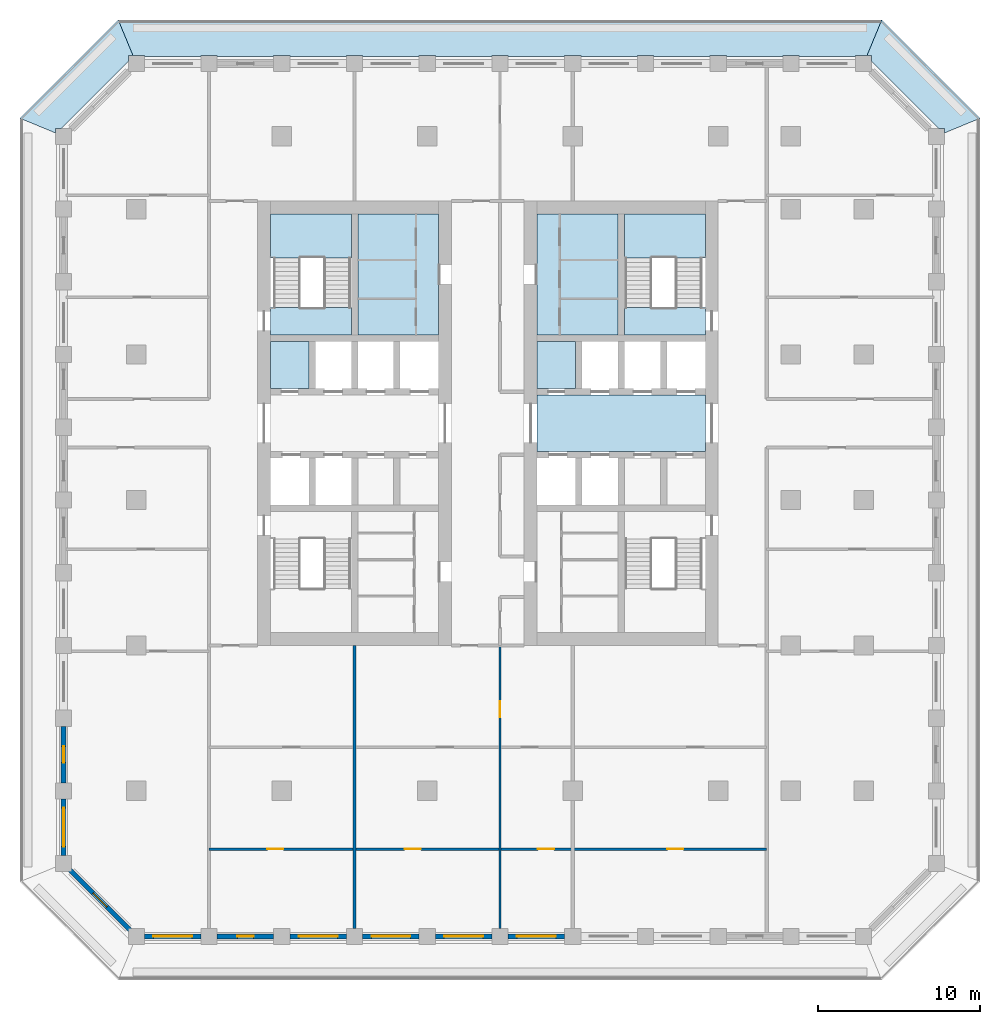
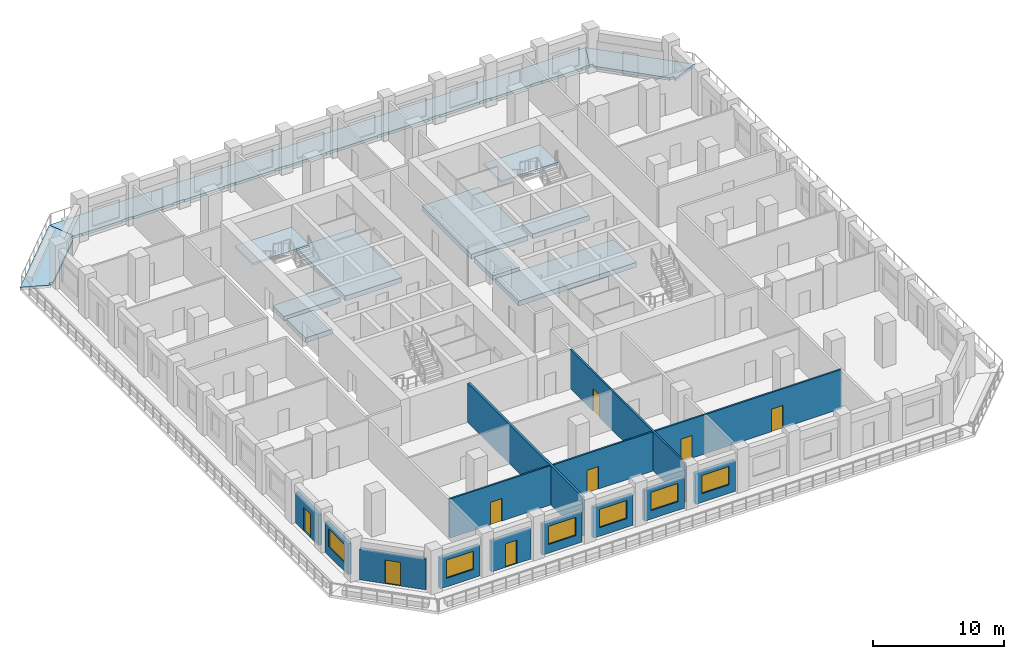
# One storey, part 2 of 16: 12 slabs, 12 walls, 8 doors, 6 windows, 14 openings, 2 elements without a shape of their own.
"""IFC4 building model written with IfcOpenShell, lengths in metres."""

import ifcopenshell
import ifcopenshell.guid

model = None  # the IFC model being written
_history = None  # IfcOwnerHistory: only IFC2X3 demands one
_inside = {}  # id of a spatial element -> (the spatial element, [elements in it])
_under = {}  # id of a project, library or spatial element -> (it, [spatial elements below it])
_declared = {}  # id of a project -> (the project, [libraries it declares])
_typed = {}  # id of a type object -> (the type object, [elements of that type])
_made_of = {}  # id of a material, layer set ... -> (it, [elements and type objects made of it])


def new_model(schema):
    """Start an empty IFC model of exactly this schema.

    Asked for "IFC4X3", IfcOpenShell would pick the latest addendum, in which some entities
    have other attributes; the version numbers below select the first issue.
    IFC2X3 requires an IfcOwnerHistory on every rooted entity: one is made here for all.
    """
    global model, _history
    if schema == "IFC4X3":
        model = ifcopenshell.file(schema_version=(4, 3, 0, 0))
    else:
        model = ifcopenshell.file(schema=schema)
    _inside.clear()
    _under.clear()
    _declared.clear()
    _typed.clear()
    _made_of.clear()
    _history = None
    if model.schema == "IFC2X3":
        org = make("IfcOrganization", Name="unknown")
        user = make(
            "IfcPersonAndOrganization",
            ThePerson=make("IfcPerson", FamilyName="unknown"),
            TheOrganization=org,
        )
        app = make(
            "IfcApplication",
            ApplicationDeveloper=org,
            Version="unknown",
            ApplicationFullName="unknown",
            ApplicationIdentifier="unknown",
        )
        _history = make(
            "IfcOwnerHistory",
            OwningUser=user,
            OwningApplication=app,
            ChangeAction="ADDED",
            CreationDate=0,
        )
    return model


def make(cls, **values):
    """One entity of the class cls with the attributes given. An attribute that is None is left unset."""
    return model.create_entity(
        cls, **{name: value for name, value in values.items() if value is not None}
    )


def rooted(cls, **values):
    """An entity with a GlobalId (a new one), such as an element, a storey or a relation."""
    return make(cls, GlobalId=ifcopenshell.guid.new(), OwnerHistory=_history, **values)


def si_unit(unit_type, name, prefix=None):
    """IfcSIUnit, for example si_unit("LENGTHUNIT", "METRE", prefix="MILLI")."""
    return make("IfcSIUnit", UnitType=unit_type, Prefix=prefix, Name=name)


def assignment(units):
    """IfcUnitAssignment: the units of a project."""
    return None if units is None else make("IfcUnitAssignment", Units=units)


def point(xyz):
    """IfcCartesianPoint."""
    return None if xyz is None else make("IfcCartesianPoint", Coordinates=xyz)


def direction(xyz):
    """IfcDirection."""
    return None if xyz is None else make("IfcDirection", DirectionRatios=xyz)


def frame(location, z_axis=None, x_axis=None):
    """IfcAxis2Placement3D, a coordinate frame: its origin and axes. An axis left out is left unset."""
    return make(
        "IfcAxis2Placement3D",
        Location=point(location),
        Axis=direction(z_axis),
        RefDirection=direction(x_axis),
    )


def frame_2d(location, x_axis=None):
    """IfcAxis2Placement2D, a coordinate frame in the plane: its origin and x axis."""
    return make(
        "IfcAxis2Placement2D", Location=point(location), RefDirection=direction(x_axis)
    )


def origin():
    """The frame at (0, 0, 0) with its axes left unset."""
    return frame((0.0, 0.0, 0.0))


def place(relative_to, where):
    """IfcLocalPlacement: puts the frame where relative to a parent placement (None: the world)."""
    return make(
        "IfcLocalPlacement", PlacementRelTo=relative_to, RelativePlacement=where
    )


def context(
    kind, dimensions, precision=None, world=None, true_north=None, identifier=None
):
    """IfcGeometricRepresentationContext, for example the 3D "Model" context."""
    return make(
        "IfcGeometricRepresentationContext",
        ContextIdentifier=identifier,
        ContextType=kind,
        CoordinateSpaceDimension=dimensions,
        Precision=precision,
        WorldCoordinateSystem=world,
        TrueNorth=true_north,
    )


def subcontext(parent, identifier, kind, view, scale=None):
    """IfcGeometricRepresentationSubContext, for example "Body" below "Model"."""
    return make(
        "IfcGeometricRepresentationSubContext",
        ContextIdentifier=identifier,
        ContextType=kind,
        ParentContext=parent,
        TargetScale=scale,
        TargetView=view,
    )


def project(units=None, contexts=None):
    """IfcProject with its units and contexts."""
    return rooted(
        "IfcProject",
        Name="project",
        RepresentationContexts=contexts,
        UnitsInContext=assignment(units),
    )


def spatial(cls, under=None, at=None, **own):
    """A site, building, storey or space (cls), placed at a placement, below another one or the project."""
    s = rooted(cls, ObjectPlacement=at, **own)
    if under is not None:
        _under.setdefault(under.id(), (under, []))[1].append(s)
    return s


def polyline(points):
    """IfcPolyline through the points."""
    return make("IfcPolyline", Points=[point(p) for p in points])


def profile(cls, at=None, kind="AREA", **sizes):
    """A parametric profile (cls). Its sizes go by their IFC names, for example OverallWidth=200.0."""
    return make(cls, ProfileType=kind, Position=at, **sizes)


def rectangle(**sizes):
    """IfcRectangleProfileDef."""
    return profile("IfcRectangleProfileDef", **sizes)


def outline(outer, holes=None, kind="AREA"):
    """IfcArbitraryClosedProfileDef: a profile drawn as a closed curve; with holes, ...WithVoids."""
    if holes is None:
        return make("IfcArbitraryClosedProfileDef", ProfileType=kind, OuterCurve=outer)
    return make(
        "IfcArbitraryProfileDefWithVoids",
        ProfileType=kind,
        OuterCurve=outer,
        InnerCurves=holes,
    )


def extrude(swept, where, along, depth):
    """IfcExtrudedAreaSolid: the profile swept, set in the frame where, extruded along a direction by depth."""
    return make(
        "IfcExtrudedAreaSolid",
        SweptArea=swept,
        Position=where,
        ExtrudedDirection=direction(along),
        Depth=depth,
    )


def shape(context_of_items, identifier, shape_type, items):
    """IfcShapeRepresentation: the items that make up one representation, for example the "Body"."""
    return make(
        "IfcShapeRepresentation",
        ContextOfItems=context_of_items,
        RepresentationIdentifier=identifier,
        RepresentationType=shape_type,
        Items=items,
    )


def material(Name=None, Category=None):
    """IfcMaterial."""
    return make("IfcMaterial", Name=Name, Category=Category)


def layer(
    of_material, thickness, ventilated=None, Name=None, Category=None, Priority=None
):
    """IfcMaterialLayer: one layer of a wall or slab, of a material (None: an air gap)."""
    return make(
        "IfcMaterialLayer",
        Material=of_material,
        LayerThickness=thickness,
        IsVentilated=ventilated,
        Name=Name,
        Category=Category,
        Priority=Priority,
    )


def layer_set(layers, Name=None):
    """IfcMaterialLayerSet."""
    return make("IfcMaterialLayerSet", MaterialLayers=layers, LayerSetName=Name)


def made_of(thing, what):
    """Note that an element or type object is made of a material, layer set ...; save() writes the relation."""
    if what is not None:
        _made_of.setdefault(what.id(), (what, []))[1].append(thing)
    return thing


def type_object(cls, material=None, **own):
    """A type object (cls), such as IfcWallType, which elements share."""
    return made_of(rooted(cls, **own), material)


def element(
    cls,
    number,
    at=None,
    inside=None,
    cuts=None,
    type_object=None,
    material=None,
    context=None,
    identifier="Body",
    shape_type=None,
    held_by="IfcProductDefinitionShape",
    body=None,
    shapes=None,
    **own,
):
    """One element of the class cls, such as IfcWall. Its Tag is "e" and its number.

    at: its placement. inside: the storey or other place that contains it. cuts: it is an
    opening in that element (IfcRelVoidsElement). A single representation is given by context,
    identifier, shape_type and body (its items); several are given by shapes. held_by: the class
    of the entity that holds the representations. save() writes the other relations.
    """
    e = rooted(cls, Tag="e%d" % number, ObjectPlacement=at, **own)
    if body is not None:
        shapes = [shape(context, identifier, shape_type, body)]
    if shapes is not None:
        e.Representation = make(held_by, Representations=shapes)
    if inside is not None:
        _inside.setdefault(inside.id(), (inside, []))[1].append(e)
    if cuts is not None:
        rooted(
            "IfcRelVoidsElement", RelatingBuildingElement=cuts, RelatedOpeningElement=e
        )
    if type_object is not None:
        _typed.setdefault(type_object.id(), (type_object, []))[1].append(e)
    return made_of(e, material)


def fill(opening, filler):
    """IfcRelFillsElement: the door or window that sits in an opening."""
    return rooted(
        "IfcRelFillsElement",
        RelatingOpeningElement=opening,
        RelatedBuildingElement=filler,
    )


def aggregate(whole, parts):
    """IfcRelAggregates: a whole, such as a stair, and the parts it consists of."""
    return rooted("IfcRelAggregates", RelatingObject=whole, RelatedObjects=parts)


def save(model, path):
    """Write the relations noted so far, then the file.

    IfcRelAggregates (storeys below a building ...), IfcRelContainedInSpatialStructure (elements
    in a storey), IfcRelDefinesByType, IfcRelAssociatesMaterial and IfcRelDeclares: one each for
    every whole, place, type object, material and project.
    """
    for whole, parts in _under.values():
        aggregate(whole, parts)
    for where, things in _inside.values():
        rooted(
            "IfcRelContainedInSpatialStructure",
            RelatedElements=things,
            RelatingStructure=where,
        )
    for kind, things in _typed.values():
        rooted("IfcRelDefinesByType", RelatedObjects=things, RelatingType=kind)
    for what, things in _made_of.values():
        rooted("IfcRelAssociatesMaterial", RelatedObjects=things, RelatingMaterial=what)
    for by, libraries in _declared.values():
        rooted("IfcRelDeclares", RelatingContext=by, RelatedDefinitions=libraries)
    model.write(path)


model = new_model("IFC4")

# Units and contexts
model_context = context("Model", 3, precision=1e-05, world=origin(), true_north=direction((0.0, 1.0)))
body_context = subcontext(model_context, "Body", "Model", "MODEL_VIEW")
ifc_project = project(units=[si_unit("LENGTHUNIT", "METRE"), si_unit("AREAUNIT", "SQUARE_METRE"), si_unit("VOLUMEUNIT", "CUBIC_METRE"), si_unit("PLANEANGLEUNIT", "RADIAN"), si_unit("MASSUNIT", "GRAM", prefix="KILO")], contexts=[model_context])

# Site, building, storey
site_placement = place(None, origin())
site = spatial("IfcSite", under=ifc_project, at=site_placement, CompositionType="ELEMENT")
building_placement = place(site_placement, origin())
building = spatial("IfcBuilding", under=site, at=building_placement, Name="Corbel Stack Research Tower", CompositionType="ELEMENT")
storey_placement = place(building_placement, frame((0.0, 0.0, 203.800048828125)))
storey = spatial("IfcBuildingStorey", under=building, at=storey_placement, Name="L46", CompositionType="ELEMENT", Elevation=203.800048828125)

# Slabs
ifc_material_1 = material(Name="Concrete C45/55", Category="concrete")
ifc_layer_1 = layer(ifc_material_1, 0.25)
ifc_layer_set_1 = layer_set([ifc_layer_1], Name="Concrete C45/55")
slab_type_1 = type_object("IfcSlabType", Name="PT balcony slab 250 C45/55", PredefinedType="FLOOR", material=ifc_layer_set_1)
slab_1_placement = place(storey_placement, frame((0.0, 0.0, -0.25)))
element("IfcSlab", 1, at=slab_1_placement, inside=storey, type_object=slab_type_1, Name="Loggia slab L46 NE", PredefinedType="FLOOR", context=body_context, shape_type="SweptSolid", body=[
    extrude(outline(polyline([(27.20703125, 27.5), (27.5, 27.5), (27.5, 27.136474609375), (31.636474609375, 23.0), (32.0, 23.0), (32.0, 22.70703125), (34.199951171875, 23.618408203125), (28.118408203125, 29.699951171875), (27.20703125, 27.5)])), origin(), (0.0, 0.0, 1.0), 0.25),
])
slab_2_placement = place(storey_placement, frame((0.0, 0.0, -0.25)))
element("IfcSlab", 2, at=slab_2_placement, inside=storey, type_object=slab_type_1, Name="Loggia slab L46 N", PredefinedType="FLOOR", context=body_context, shape_type="SweptSolid", body=[
    extrude(outline(polyline([(-18.20703125, 27.5), (-17.5, 27.5), (-17.5, 27.449951171875), (-14.0, 27.449951171875), (-14.0, 27.5), (-13.0, 27.5), (-13.0, 27.449951171875), (-9.5, 27.449951171875), (-9.5, 27.5), (-8.5, 27.5), (-8.5, 27.449951171875), (-5.0, 27.449951171875), (-5.0, 27.5), (-4.0, 27.5), (-4.0, 27.449951171875), (-0.5, 27.449951171875), (-0.5, 27.5), (0.5, 27.5), (0.5, 27.449951171875), (4.0, 27.449951171875), (4.0, 27.5), (5.0, 27.5), (5.0, 27.449951171875), (8.5, 27.449951171875), (8.5, 27.5), (9.5, 27.5), (9.5, 27.449951171875), (13.0, 27.449951171875), (13.0, 27.5), (14.0, 27.5), (14.0, 27.449951171875), (17.5, 27.449951171875), (17.5, 27.5), (18.5, 27.5), (18.5, 27.449951171875), (22.0, 27.449951171875), (22.0, 27.5), (23.0, 27.5), (23.0, 27.449951171875), (26.5, 27.449951171875), (26.5, 27.5), (27.20703125, 27.5), (28.118408203125, 29.699951171875), (-19.118408203125, 29.699951171875), (-18.20703125, 27.5)])), origin(), (0.0, 0.0, 1.0), 0.25),
])
slab_3_placement = place(storey_placement, frame((0.0, 0.0, -0.25)))
element("IfcSlab", 3, at=slab_3_placement, inside=storey, type_object=slab_type_1, Name="Loggia slab L46 NW", PredefinedType="FLOOR", context=body_context, shape_type="SweptSolid", body=[
    extrude(outline(polyline([(-23.0, 22.70703125), (-23.0, 23.0), (-22.636474609375, 23.0), (-18.5, 27.136474609375), (-18.5, 27.5), (-18.20703125, 27.5), (-19.118408203125, 29.699951171875), (-25.199951171875, 23.618408203125), (-23.0, 22.70703125)])), origin(), (0.0, 0.0, 1.0), 0.25),
])
ifc_material_2 = material(Name="Concrete C45/55", Category="concrete")
ifc_layer_2 = layer(ifc_material_2, 0.449951171875)
ifc_layer_set_2 = layer_set([ifc_layer_2], Name="Concrete C45/55")
slab_type_2 = type_object("IfcSlabType", Name="PT-450", PredefinedType="FLOOR", material=ifc_layer_set_2)
slab_4_placement = place(storey_placement, frame((0.0, 0.0, -0.449951171875)))
element("IfcSlab", 4, at=slab_4_placement, inside=storey, type_object=slab_type_2, Name="West core floor L46", PredefinedType="FLOOR", context=body_context, shape_type="SweptSolid", body=[
    extrude(outline(polyline([(-9.699951171875, 6.89990234375), (-7.324951171875, 6.89990234375), (-7.324951171875, 9.800048828125), (-9.699951171875, 9.800048828125), (-9.699951171875, 6.89990234375)])), origin(), (0.0, 0.0, 1.0), 0.449951171875),
])
slab_5_placement = place(storey_placement, frame((0.0, 0.0, -0.449951171875)))
element("IfcSlab", 5, at=slab_5_placement, inside=storey, type_object=slab_type_2, Name="West core floor L46", PredefinedType="FLOOR", context=body_context, shape_type="SweptSolid", body=[
    extrude(outline(polyline([(0.699951171875, 17.699951171875), (-4.300048828125, 17.699951171875), (-4.300048828125, 10.199951171875), (0.699951171875, 10.199951171875), (0.699951171875, 17.699951171875)])), origin(), (0.0, 0.0, 1.0), 0.449951171875),
])
slab_6_placement = place(storey_placement, frame((0.0, 0.0, -0.449951171875)))
element("IfcSlab", 6, at=slab_6_placement, inside=storey, type_object=slab_type_2, Name="East core floor L46", PredefinedType="FLOOR", context=body_context, shape_type="SweptSolid", body=[
    extrude(outline(polyline([(17.199951171875, 6.5), (6.800048828125, 6.5), (6.800048828125, 3.0), (17.199951171875, 3.0), (17.199951171875, 6.5)])), origin(), (0.0, 0.0, 1.0), 0.449951171875),
])
slab_7_placement = place(storey_placement, frame((0.0, 0.0, -0.449951171875)))
element("IfcSlab", 7, at=slab_7_placement, inside=storey, type_object=slab_type_2, Name="East core floor L46", PredefinedType="FLOOR", context=body_context, shape_type="SweptSolid", body=[
    extrude(outline(polyline([(6.800048828125, 6.89990234375), (9.175048828125, 6.89990234375), (9.175048828125, 9.800048828125), (6.800048828125, 9.800048828125), (6.800048828125, 6.89990234375)])), origin(), (0.0, 0.0, 1.0), 0.449951171875),
])
slab_8_placement = place(storey_placement, frame((0.0, 0.0, -0.449951171875)))
element("IfcSlab", 8, at=slab_8_placement, inside=storey, type_object=slab_type_2, Name="East core floor L46", PredefinedType="FLOOR", context=body_context, shape_type="SweptSolid", body=[
    extrude(outline(polyline([(6.800048828125, 17.699951171875), (6.800048828125, 10.199951171875), (11.800048828125, 10.199951171875), (11.800048828125, 17.699951171875), (6.800048828125, 17.699951171875)])), origin(), (0.0, 0.0, 1.0), 0.449951171875),
])
slab_9_placement = place(storey_placement, frame((0.0, 0.0, -0.449951171875)))
element("IfcSlab", 9, at=slab_9_placement, inside=storey, type_object=slab_type_2, Name="Stair floor landing ST-W2", PredefinedType="FLOOR", context=body_context, shape_type="SweptSolid", body=[
    extrude(outline(polyline([(-9.699951171875, 10.199951171875), (-4.699951171875, 10.199951171875), (-4.699951171875, 11.89990234375), (-9.699951171875, 11.89990234375), (-9.699951171875, 10.199951171875)])), origin(), (0.0, 0.0, 1.0), 0.449951171875),
])
slab_10_placement = place(storey_placement, frame((0.0, 0.0, -0.449951171875)))
element("IfcSlab", 10, at=slab_10_placement, inside=storey, type_object=slab_type_2, Name="Stair floor landing ST-E2", PredefinedType="FLOOR", context=body_context, shape_type="SweptSolid", body=[
    extrude(outline(polyline([(12.199951171875, 10.199951171875), (17.199951171875, 10.199951171875), (17.199951171875, 11.89990234375), (12.199951171875, 11.89990234375), (12.199951171875, 10.199951171875)])), origin(), (0.0, 0.0, 1.0), 0.449951171875),
])

# Stair, slab
ifc_material_3 = material(Name="Concrete C40/50", Category="concrete")
stair_type = type_object("IfcStairType", Name="Exit stair 24 risers", PredefinedType="HALF_TURN_STAIR", material=ifc_material_3)
stair_1_placement = place(storey_placement, origin())
stair_1 = element("IfcStair", 11, at=stair_1_placement, inside=storey, type_object=stair_type, Name="L46 Exit stair ST-W2", PredefinedType="HALF_TURN_STAIR")
ifc_material_4 = material(Name="Concrete C40/50", Category="concrete")
ifc_layer_3 = layer(ifc_material_4, 0.199951171875)
ifc_layer_set_3 = layer_set([ifc_layer_3], Name="Concrete C40/50")
slab_type_3 = type_object("IfcSlabType", Name="Stair landing 200 C40/50", PredefinedType="LANDING", material=ifc_layer_set_3)
slab_11_placement = place(storey_placement, frame((0.0, 0.0, 1.849853515625)))
slab_11 = element("IfcSlab", 12, at=slab_11_placement, type_object=slab_type_3, Name="ST-W2 landing 1", PredefinedType="LANDING", context=body_context, shape_type="SweptSolid", body=[
    extrude(outline(polyline([(-9.699951171875, 14.97998046875), (-9.699951171875, 17.699951171875), (-4.699951171875, 17.699951171875), (-4.699951171875, 14.97998046875), (-9.699951171875, 14.97998046875)])), origin(), (0.0, 0.0, 1.0), 0.2001953125),
])
aggregate(stair_1, [slab_11])

stair_2_placement = place(storey_placement, origin())
stair_2 = element("IfcStair", 13, at=stair_2_placement, inside=storey, type_object=stair_type, Name="L46 Exit stair ST-E2", PredefinedType="HALF_TURN_STAIR")
slab_12_placement = place(storey_placement, frame((0.0, 0.0, 1.849853515625)))
slab_12 = element("IfcSlab", 14, at=slab_12_placement, type_object=slab_type_3, Name="ST-E2 landing 1", PredefinedType="LANDING", context=body_context, shape_type="SweptSolid", body=[
    extrude(outline(polyline([(12.199951171875, 14.97998046875), (12.199951171875, 17.699951171875), (17.199951171875, 17.699951171875), (17.199951171875, 14.97998046875), (12.199951171875, 14.97998046875)])), origin(), (0.0, 0.0, 1.0), 0.2001953125),
])
aggregate(stair_2, [slab_12])

# Wall, opening, door
ifc_material_5 = material(Name="Fire-rated gypsum board partition on steel studs", Category="steel")
ifc_layer_4 = layer(ifc_material_5, 0.14990234375)
ifc_layer_set_4 = layer_set([ifc_layer_4], Name="Fire-rated gypsum board partition on steel studs")
wall_type_1 = type_object("IfcWallType", Name="Fire-rated partition 150 EI 60", PredefinedType="PARTITIONING", material=ifc_layer_set_4)
wall_1_placement = place(storey_placement, frame((4.5, -9.0, 0.0), z_axis=(0.0, 0.0, 1.0), x_axis=(0.0, -1.0, 0.0)))
wall_1 = element("IfcWall", 15, at=wall_1_placement, inside=storey, type_object=wall_type_1, Name="Partition L46-005", PredefinedType="PARTITIONING", context=body_context, shape_type="SweptSolid", body=[
    extrude(rectangle(XDim=17.5, YDim=0.14990234375, at=frame_2d((8.75, 0.0))), origin(), (0.0, 0.0, 1.0), 3.64990234375),
])
opening_1_placement = place(wall_1_placement, frame((3.449951171875, 0.0, 0.0)))
opening_1 = element("IfcOpeningElement", 16, at=opening_1_placement, cuts=wall_1, Name="Opening B6V1-018", PredefinedType="OPENING", context=body_context, shape_type="SweptSolid", body=[
    extrude(rectangle(XDim=1.0, YDim=2.10009765625, at=frame_2d((0.5, 1.050048828125))), frame((0.0, 0.0849609375, 0.0), z_axis=(0.0, -1.0, 0.0), x_axis=(1.0, 0.0, 0.0)), (0.0, 0.0, 1.0), 0.169921875),
])
ifc_material_6 = material(Name="Painted steel fire door", Category="steel")
door_type_1 = type_object("IfcDoorType", Name="Fire door FD30S 1000 x 2100", OperationType="NOTDEFINED", PredefinedType="DOOR", material=ifc_material_6)
door_1_placement = place(opening_1_placement, origin())
door_1 = element("IfcDoor", 17, at=door_1_placement, inside=storey, type_object=door_type_1, Name="Door B6V1-018", OperationType="SINGLE_SWING_LEFT", OverallHeight=2.10009765625, OverallWidth=1.0, PredefinedType="DOOR", context=body_context, shape_type="SweptSolid", body=[
    extrude(rectangle(XDim=1.0, YDim=2.10009765625, at=frame_2d((0.5, 1.050048828125))), frame((0.0, 0.02490234375, 0.0), z_axis=(0.0, -1.0, 0.0), x_axis=(1.0, 0.0, 0.0)), (0.0, 0.0, 1.0), 0.050048828125),
])
fill(opening_1, door_1)

# Wall
ifc_material_7 = material(Name="Fire-rated gypsum board partition on steel studs", Category="steel")
ifc_layer_5 = layer(ifc_material_7, 0.199951171875)
ifc_layer_set_5 = layer_set([ifc_layer_5], Name="Fire-rated gypsum board partition on steel studs")
wall_type_2 = type_object("IfcWallType", Name="Fire-rated partition 200 EI 60", PredefinedType="PARTITIONING", material=ifc_layer_set_5)
wall_2_placement = place(storey_placement, frame((-4.5, -26.5, 0.0), z_axis=(0.0, 0.0, 1.0), x_axis=(0.0, 1.0, 0.0)))
element("IfcWall", 18, at=wall_2_placement, inside=storey, type_object=wall_type_2, Name="Partition L46-003", PredefinedType="PARTITIONING", context=body_context, shape_type="SweptSolid", body=[
    extrude(rectangle(XDim=17.5, YDim=0.199951171875, at=frame_2d((8.75, 0.0))), origin(), (0.0, 0.0, 1.0), 3.64990234375),
])

# Wall, openings, doors
ifc_material_8 = material(Name="Gypsum board partition on steel studs", Category="steel")
ifc_layer_6 = layer(ifc_material_8, 0.14990234375)
ifc_layer_set_6 = layer_set([ifc_layer_6], Name="Gypsum board partition on steel studs")
wall_type_3 = type_object("IfcWallType", Name="Partition 150", PredefinedType="PARTITIONING", material=ifc_layer_set_6)
wall_3_placement = place(storey_placement, frame((21.0, -21.60009765625, 0.0), z_axis=(0.0, 0.0, 1.0), x_axis=(-1.0, 0.0, 0.0)))
wall_3 = element("IfcWall", 19, at=wall_3_placement, inside=storey, type_object=wall_type_3, Name="Partition L46-016", PredefinedType="PARTITIONING", context=body_context, shape_type="SweptSolid", body=[
    extrude(rectangle(XDim=34.5, YDim=0.14990234375, at=frame_2d((17.25, 0.0))), origin(), (0.0, 0.0, 1.0), 3.64990234375),
])
opening_2_placement = place(wall_3_placement, frame((29.89990234375, 0.0, 0.0)))
opening_2 = element("IfcOpeningElement", 20, at=opening_2_placement, cuts=wall_3, Name="Opening B6V1-001", PredefinedType="OPENING", context=body_context, shape_type="SweptSolid", body=[
    extrude(rectangle(XDim=1.0, YDim=2.10009765625, at=frame_2d((0.5, 1.050048828125))), frame((0.0, 0.0849609375, 0.0), z_axis=(0.0, -1.0, 0.0), x_axis=(1.0, 0.0, 0.0)), (0.0, 0.0, 1.0), 0.169921875),
])
opening_3_placement = place(wall_3_placement, frame((21.39990234375, 0.0, 0.0)))
opening_3 = element("IfcOpeningElement", 21, at=opening_3_placement, cuts=wall_3, Name="Opening B6V1-002", PredefinedType="OPENING", context=body_context, shape_type="SweptSolid", body=[
    extrude(rectangle(XDim=1.0, YDim=2.10009765625, at=frame_2d((0.5, 1.050048828125))), frame((0.0, 0.0849609375, 0.0), z_axis=(0.0, -1.0, 0.0), x_axis=(1.0, 0.0, 0.0)), (0.0, 0.0, 1.0), 0.169921875),
])
opening_4_placement = place(wall_3_placement, frame((13.14990234375, 0.0, 0.0)))
opening_4 = element("IfcOpeningElement", 22, at=opening_4_placement, cuts=wall_3, Name="Opening B6V1-003", PredefinedType="OPENING", context=body_context, shape_type="SweptSolid", body=[
    extrude(rectangle(XDim=1.0, YDim=2.10009765625, at=frame_2d((0.5, 1.050048828125))), frame((0.0, 0.0849609375, 0.0), z_axis=(0.0, -1.0, 0.0), x_axis=(1.0, 0.0, 0.0)), (0.0, 0.0, 1.0), 0.169921875),
])
opening_5_placement = place(wall_3_placement, frame((5.14990234375, 0.0, 0.0)))
opening_5 = element("IfcOpeningElement", 23, at=opening_5_placement, cuts=wall_3, Name="Opening B6V1-004", PredefinedType="OPENING", context=body_context, shape_type="SweptSolid", body=[
    extrude(rectangle(XDim=1.0, YDim=2.10009765625, at=frame_2d((0.5, 1.050048828125))), frame((0.0, 0.0849609375, 0.0), z_axis=(0.0, -1.0, 0.0), x_axis=(1.0, 0.0, 0.0)), (0.0, 0.0, 1.0), 0.169921875),
])
ifc_material_9 = material(Name="Painted timber door", Category="wood")
door_type_2 = type_object("IfcDoorType", Name="Single door 1000 x 2100", OperationType="NOTDEFINED", PredefinedType="DOOR", material=ifc_material_9)
door_2_placement = place(opening_2_placement, origin())
door_2 = element("IfcDoor", 24, at=door_2_placement, inside=storey, type_object=door_type_2, Name="Door B6V1-001", OperationType="SINGLE_SWING_RIGHT", OverallHeight=2.10009765625, OverallWidth=1.0, PredefinedType="DOOR", context=body_context, shape_type="SweptSolid", body=[
    extrude(rectangle(XDim=1.0, YDim=2.10009765625, at=frame_2d((0.5, 1.050048828125))), frame((0.0, 0.02490234375, 0.0), z_axis=(0.0, -1.0, 0.0), x_axis=(1.0, 0.0, 0.0)), (0.0, 0.0, 1.0), 0.050048828125),
])
fill(opening_2, door_2)
door_3_placement = place(opening_3_placement, origin())
door_3 = element("IfcDoor", 25, at=door_3_placement, inside=storey, type_object=door_type_2, Name="Door B6V1-002", OperationType="SINGLE_SWING_RIGHT", OverallHeight=2.10009765625, OverallWidth=1.0, PredefinedType="DOOR", context=body_context, shape_type="SweptSolid", body=[
    extrude(rectangle(XDim=1.0, YDim=2.10009765625, at=frame_2d((0.5, 1.050048828125))), frame((0.0, 0.02490234375, 0.0), z_axis=(0.0, -1.0, 0.0), x_axis=(1.0, 0.0, 0.0)), (0.0, 0.0, 1.0), 0.050048828125),
])
fill(opening_3, door_3)
door_4_placement = place(opening_4_placement, origin())
door_4 = element("IfcDoor", 26, at=door_4_placement, inside=storey, type_object=door_type_2, Name="Door B6V1-003", OperationType="SINGLE_SWING_LEFT", OverallHeight=2.10009765625, OverallWidth=1.0, PredefinedType="DOOR", context=body_context, shape_type="SweptSolid", body=[
    extrude(rectangle(XDim=1.0, YDim=2.10009765625, at=frame_2d((0.5, 1.050048828125))), frame((0.0, 0.02490234375, 0.0), z_axis=(0.0, -1.0, 0.0), x_axis=(1.0, 0.0, 0.0)), (0.0, 0.0, 1.0), 0.050048828125),
])
fill(opening_4, door_4)
door_5_placement = place(opening_5_placement, origin())
door_5 = element("IfcDoor", 27, at=door_5_placement, inside=storey, type_object=door_type_2, Name="Door B6V1-004", OperationType="SINGLE_SWING_LEFT", OverallHeight=2.10009765625, OverallWidth=1.0, PredefinedType="DOOR", context=body_context, shape_type="SweptSolid", body=[
    extrude(rectangle(XDim=1.0, YDim=2.10009765625, at=frame_2d((0.5, 1.050048828125))), frame((0.0, 0.02490234375, 0.0), z_axis=(0.0, -1.0, 0.0), x_axis=(1.0, 0.0, 0.0)), (0.0, 0.0, 1.0), 0.050048828125),
])
fill(opening_5, door_5)

# Wall, opening, window
ifc_material_10 = material(Name="Concrete C45/55", Category="concrete")
ifc_layer_7 = layer(ifc_material_10, 0.300048828125)
ifc_layer_set_7 = layer_set([ifc_layer_7], Name="Concrete C45/55")
wall_type_4 = type_object("IfcWallType", Name="Terracotta-faced concrete wall 300", PredefinedType="SOLIDWALL", material=ifc_layer_set_7)
wall_4_placement = place(storey_placement, frame((-14.0, -27.0, 0.0), z_axis=(0.0, 0.0, 1.0), x_axis=(-1.0, 0.0, 0.0)))
wall_4 = element("IfcWall", 28, at=wall_4_placement, inside=storey, type_object=wall_type_4, Name="Facade wall L46 S01", PredefinedType="SOLIDWALL", context=body_context, shape_type="SweptSolid", body=[
    extrude(rectangle(XDim=3.5, YDim=0.300048828125, at=frame_2d((1.75, 0.0))), origin(), (0.0, 0.0, 1.0), 2.849853515625),
])
opening_6_placement = place(wall_4_placement, frame((0.550048828125, 0.0, 0.800048828125)))
opening_6 = element("IfcOpeningElement", 29, at=opening_6_placement, cuts=wall_4, Name="Opening W1", PredefinedType="OPENING", context=body_context, shape_type="SweptSolid", body=[
    extrude(rectangle(XDim=2.39990234375, YDim=1.699951171875, at=frame_2d((1.199951171875, 0.85009765625))), frame((0.0, 0.159912109375, 0.0), z_axis=(0.0, -1.0, 0.0), x_axis=(1.0, 0.0, 0.0)), (0.0, 0.0, 1.0), 0.320068359375),
])
ifc_material_11 = material(Name="Aluminium frame, clear double glazing", Category="aluminium")
window_type = type_object("IfcWindowType", Name="Window W1 2400 x 1700", PartitioningType="SINGLE_PANEL", PredefinedType="WINDOW", material=ifc_material_11)
window_1_placement = place(opening_6_placement, origin())
window_1 = element("IfcWindow", 30, at=window_1_placement, inside=storey, type_object=window_type, Name="Window W1 L46 S01", OverallHeight=1.699951171875, OverallWidth=2.39990234375, PartitioningType="SINGLE_PANEL", PredefinedType="WINDOW", context=body_context, shape_type="SweptSolid", body=[
    extrude(rectangle(XDim=2.39990234375, YDim=1.699951171875, at=frame_2d((1.199951171875, 0.85009765625))), frame((0.0, 0.030029296875, 0.0), z_axis=(0.0, -1.0, 0.0), x_axis=(1.0, 0.0, 0.0)), (0.0, 0.0, 1.0), 0.06005859375),
])
fill(opening_6, window_1)

# Wall, opening, door
wall_5_placement = place(storey_placement, frame((-9.5, -27.0, 0.0), z_axis=(0.0, 0.0, 1.0), x_axis=(-1.0, 0.0, 0.0)))
wall_5 = element("IfcWall", 31, at=wall_5_placement, inside=storey, type_object=wall_type_4, Name="Facade wall L46 S02", PredefinedType="SOLIDWALL", context=body_context, shape_type="SweptSolid", body=[
    extrude(rectangle(XDim=3.5, YDim=0.300048828125, at=frame_2d((1.75, 0.0))), origin(), (0.0, 0.0, 1.0), 2.849853515625),
])
opening_7_placement = place(wall_5_placement, frame((1.25, 0.0, 0.0)))
opening_7 = element("IfcOpeningElement", 32, at=opening_7_placement, cuts=wall_5, Name="Opening L46-B01", PredefinedType="OPENING", context=body_context, shape_type="SweptSolid", body=[
    extrude(rectangle(XDim=1.0, YDim=2.199951171875, at=frame_2d((0.5, 1.10009765625))), frame((0.0, 0.159912109375, 0.0), z_axis=(0.0, -1.0, 0.0), x_axis=(1.0, 0.0, 0.0)), (0.0, 0.0, 1.0), 0.320068359375),
])
ifc_material_12 = material(Name="Aluminium frame, clear double glazing", Category="aluminium")
door_type_3 = type_object("IfcDoorType", Name="Balcony door BD1 1000 x 2200", OperationType="NOTDEFINED", PredefinedType="DOOR", material=ifc_material_12)
door_6_placement = place(opening_7_placement, origin())
door_6 = element("IfcDoor", 33, at=door_6_placement, inside=storey, type_object=door_type_3, Name="Balcony door L46-B01", OperationType="SINGLE_SWING_RIGHT", OverallHeight=2.199951171875, OverallWidth=1.0, PredefinedType="DOOR", context=body_context, shape_type="SweptSolid", body=[
    extrude(rectangle(XDim=1.0, YDim=2.199951171875, at=frame_2d((0.5, 1.10009765625))), frame((0.0, 0.02490234375, 0.0), z_axis=(0.0, -1.0, 0.0), x_axis=(1.0, 0.0, 0.0)), (0.0, 0.0, 1.0), 0.050048828125),
])
fill(opening_7, door_6)

# Wall, opening, window
wall_6_placement = place(storey_placement, frame((-5.0, -27.0, 0.0), z_axis=(0.0, 0.0, 1.0), x_axis=(-1.0, 0.0, 0.0)))
wall_6 = element("IfcWall", 34, at=wall_6_placement, inside=storey, type_object=wall_type_4, Name="Facade wall L46 S03", PredefinedType="SOLIDWALL", context=body_context, shape_type="SweptSolid", body=[
    extrude(rectangle(XDim=3.5, YDim=0.300048828125, at=frame_2d((1.75, 0.0))), origin(), (0.0, 0.0, 1.0), 2.849853515625),
])
opening_8_placement = place(wall_6_placement, frame((0.550048828125, 0.0, 0.800048828125)))
opening_8 = element("IfcOpeningElement", 35, at=opening_8_placement, cuts=wall_6, Name="Opening W1", PredefinedType="OPENING", context=body_context, shape_type="SweptSolid", body=[
    extrude(rectangle(XDim=2.39990234375, YDim=1.699951171875, at=frame_2d((1.199951171875, 0.85009765625))), frame((0.0, 0.159912109375, 0.0), z_axis=(0.0, -1.0, 0.0), x_axis=(1.0, 0.0, 0.0)), (0.0, 0.0, 1.0), 0.320068359375),
])
window_2_placement = place(opening_8_placement, origin())
window_2 = element("IfcWindow", 36, at=window_2_placement, inside=storey, type_object=window_type, Name="Window W1 L46 S03", OverallHeight=1.699951171875, OverallWidth=2.39990234375, PartitioningType="SINGLE_PANEL", PredefinedType="WINDOW", context=body_context, shape_type="SweptSolid", body=[
    extrude(rectangle(XDim=2.39990234375, YDim=1.699951171875, at=frame_2d((1.199951171875, 0.85009765625))), frame((0.0, 0.030029296875, 0.0), z_axis=(0.0, -1.0, 0.0), x_axis=(1.0, 0.0, 0.0)), (0.0, 0.0, 1.0), 0.06005859375),
])
fill(opening_8, window_2)

wall_7_placement = place(storey_placement, frame((-0.5, -27.0, 0.0), z_axis=(0.0, 0.0, 1.0), x_axis=(-1.0, 0.0, 0.0)))
wall_7 = element("IfcWall", 37, at=wall_7_placement, inside=storey, type_object=wall_type_4, Name="Facade wall L46 S04", PredefinedType="SOLIDWALL", context=body_context, shape_type="SweptSolid", body=[
    extrude(rectangle(XDim=3.5, YDim=0.300048828125, at=frame_2d((1.75, 0.0))), origin(), (0.0, 0.0, 1.0), 2.849853515625),
])
opening_9_placement = place(wall_7_placement, frame((0.550048828125, 0.0, 0.800048828125)))
opening_9 = element("IfcOpeningElement", 38, at=opening_9_placement, cuts=wall_7, Name="Opening W1", PredefinedType="OPENING", context=body_context, shape_type="SweptSolid", body=[
    extrude(rectangle(XDim=2.39990234375, YDim=1.699951171875, at=frame_2d((1.199951171875, 0.85009765625))), frame((0.0, 0.159912109375, 0.0), z_axis=(0.0, -1.0, 0.0), x_axis=(1.0, 0.0, 0.0)), (0.0, 0.0, 1.0), 0.320068359375),
])
window_3_placement = place(opening_9_placement, origin())
window_3 = element("IfcWindow", 39, at=window_3_placement, inside=storey, type_object=window_type, Name="Window W1 L46 S04", OverallHeight=1.699951171875, OverallWidth=2.39990234375, PartitioningType="SINGLE_PANEL", PredefinedType="WINDOW", context=body_context, shape_type="SweptSolid", body=[
    extrude(rectangle(XDim=2.39990234375, YDim=1.699951171875, at=frame_2d((1.199951171875, 0.85009765625))), frame((0.0, 0.030029296875, 0.0), z_axis=(0.0, -1.0, 0.0), x_axis=(1.0, 0.0, 0.0)), (0.0, 0.0, 1.0), 0.06005859375),
])
fill(opening_9, window_3)

wall_8_placement = place(storey_placement, frame((4.0, -27.0, 0.0), z_axis=(0.0, 0.0, 1.0), x_axis=(-1.0, 0.0, 0.0)))
wall_8 = element("IfcWall", 40, at=wall_8_placement, inside=storey, type_object=wall_type_4, Name="Facade wall L46 S05", PredefinedType="SOLIDWALL", context=body_context, shape_type="SweptSolid", body=[
    extrude(rectangle(XDim=3.5, YDim=0.300048828125, at=frame_2d((1.75, 0.0))), origin(), (0.0, 0.0, 1.0), 2.849853515625),
])
opening_10_placement = place(wall_8_placement, frame((0.550048828125, 0.0, 0.800048828125)))
opening_10 = element("IfcOpeningElement", 41, at=opening_10_placement, cuts=wall_8, Name="Opening W1", PredefinedType="OPENING", context=body_context, shape_type="SweptSolid", body=[
    extrude(rectangle(XDim=2.39990234375, YDim=1.699951171875, at=frame_2d((1.199951171875, 0.85009765625))), frame((0.0, 0.159912109375, 0.0), z_axis=(0.0, -1.0, 0.0), x_axis=(1.0, 0.0, 0.0)), (0.0, 0.0, 1.0), 0.320068359375),
])
window_4_placement = place(opening_10_placement, origin())
window_4 = element("IfcWindow", 42, at=window_4_placement, inside=storey, type_object=window_type, Name="Window W1 L46 S05", OverallHeight=1.699951171875, OverallWidth=2.39990234375, PartitioningType="SINGLE_PANEL", PredefinedType="WINDOW", context=body_context, shape_type="SweptSolid", body=[
    extrude(rectangle(XDim=2.39990234375, YDim=1.699951171875, at=frame_2d((1.199951171875, 0.85009765625))), frame((0.0, 0.030029296875, 0.0), z_axis=(0.0, -1.0, 0.0), x_axis=(1.0, 0.0, 0.0)), (0.0, 0.0, 1.0), 0.06005859375),
])
fill(opening_10, window_4)

wall_9_placement = place(storey_placement, frame((8.5, -27.0, 0.0), z_axis=(0.0, 0.0, 1.0), x_axis=(-1.0, 0.0, 0.0)))
wall_9 = element("IfcWall", 43, at=wall_9_placement, inside=storey, type_object=wall_type_4, Name="Facade wall L46 S06", PredefinedType="SOLIDWALL", context=body_context, shape_type="SweptSolid", body=[
    extrude(rectangle(XDim=3.5, YDim=0.300048828125, at=frame_2d((1.75, 0.0))), origin(), (0.0, 0.0, 1.0), 2.849853515625),
])
opening_11_placement = place(wall_9_placement, frame((0.550048828125, 0.0, 0.800048828125)))
opening_11 = element("IfcOpeningElement", 44, at=opening_11_placement, cuts=wall_9, Name="Opening W1", PredefinedType="OPENING", context=body_context, shape_type="SweptSolid", body=[
    extrude(rectangle(XDim=2.39990234375, YDim=1.699951171875, at=frame_2d((1.199951171875, 0.85009765625))), frame((0.0, 0.159912109375, 0.0), z_axis=(0.0, -1.0, 0.0), x_axis=(1.0, 0.0, 0.0)), (0.0, 0.0, 1.0), 0.320068359375),
])
window_5_placement = place(opening_11_placement, origin())
window_5 = element("IfcWindow", 45, at=window_5_placement, inside=storey, type_object=window_type, Name="Window W1 L46 S06", OverallHeight=1.699951171875, OverallWidth=2.39990234375, PartitioningType="SINGLE_PANEL", PredefinedType="WINDOW", context=body_context, shape_type="SweptSolid", body=[
    extrude(rectangle(XDim=2.39990234375, YDim=1.699951171875, at=frame_2d((1.199951171875, 0.85009765625))), frame((0.0, 0.030029296875, 0.0), z_axis=(0.0, -1.0, 0.0), x_axis=(1.0, 0.0, 0.0)), (0.0, 0.0, 1.0), 0.06005859375),
])
fill(opening_11, window_5)

# Wall, opening, door
wall_10_placement = place(storey_placement, frame((-22.5, -17.5, 0.0), z_axis=(0.0, 0.0, 1.0), x_axis=(0.0, 1.0, 0.0)))
wall_10 = element("IfcWall", 46, at=wall_10_placement, inside=storey, type_object=wall_type_4, Name="Facade wall L46 W09", PredefinedType="SOLIDWALL", context=body_context, shape_type="SweptSolid", body=[
    extrude(rectangle(XDim=3.5, YDim=0.300048828125, at=frame_2d((1.75, 0.0))), origin(), (0.0, 0.0, 1.0), 2.849853515625),
])
opening_12_placement = place(wall_10_placement, frame((1.25, 0.0, 0.0)))
opening_12 = element("IfcOpeningElement", 47, at=opening_12_placement, cuts=wall_10, Name="Opening L46-B11", PredefinedType="OPENING", context=body_context, shape_type="SweptSolid", body=[
    extrude(rectangle(XDim=1.0, YDim=2.199951171875, at=frame_2d((0.5, 1.10009765625))), frame((0.0, 0.159912109375, 0.0), z_axis=(0.0, -1.0, 0.0), x_axis=(1.0, 0.0, 0.0)), (0.0, 0.0, 1.0), 0.320068359375),
])
door_7_placement = place(opening_12_placement, origin())
door_7 = element("IfcDoor", 48, at=door_7_placement, inside=storey, type_object=door_type_3, Name="Balcony door L46-B11", OperationType="SINGLE_SWING_LEFT", OverallHeight=2.199951171875, OverallWidth=1.0, PredefinedType="DOOR", context=body_context, shape_type="SweptSolid", body=[
    extrude(rectangle(XDim=1.0, YDim=2.199951171875, at=frame_2d((0.5, 1.10009765625))), frame((0.0, 0.02490234375, 0.0), z_axis=(0.0, -1.0, 0.0), x_axis=(1.0, 0.0, 0.0)), (0.0, 0.0, 1.0), 0.050048828125),
])
fill(opening_12, door_7)

# Wall, opening, window
wall_11_placement = place(storey_placement, frame((-22.5, -22.0, 0.0), z_axis=(0.0, 0.0, 1.0), x_axis=(0.0, 1.0, 0.0)))
wall_11 = element("IfcWall", 49, at=wall_11_placement, inside=storey, type_object=wall_type_4, Name="Facade wall L46 W10", PredefinedType="SOLIDWALL", context=body_context, shape_type="SweptSolid", body=[
    extrude(rectangle(XDim=3.5, YDim=0.300048828125, at=frame_2d((1.75, 0.0))), origin(), (0.0, 0.0, 1.0), 2.849853515625),
])
opening_13_placement = place(wall_11_placement, frame((0.550048828125, 0.0, 0.800048828125)))
opening_13 = element("IfcOpeningElement", 50, at=opening_13_placement, cuts=wall_11, Name="Opening W1", PredefinedType="OPENING", context=body_context, shape_type="SweptSolid", body=[
    extrude(rectangle(XDim=2.39990234375, YDim=1.699951171875, at=frame_2d((1.199951171875, 0.85009765625))), frame((0.0, 0.159912109375, 0.0), z_axis=(0.0, -1.0, 0.0), x_axis=(1.0, 0.0, 0.0)), (0.0, 0.0, 1.0), 0.320068359375),
])
window_6_placement = place(opening_13_placement, origin())
window_6 = element("IfcWindow", 51, at=window_6_placement, inside=storey, type_object=window_type, Name="Window W1 L46 W10", OverallHeight=1.699951171875, OverallWidth=2.39990234375, PartitioningType="SINGLE_PANEL", PredefinedType="WINDOW", context=body_context, shape_type="SweptSolid", body=[
    extrude(rectangle(XDim=2.39990234375, YDim=1.699951171875, at=frame_2d((1.199951171875, 0.85009765625))), frame((0.0, 0.030029296875, 0.0), z_axis=(0.0, -1.0, 0.0), x_axis=(1.0, 0.0, 0.0)), (0.0, 0.0, 1.0), 0.06005859375),
])
fill(opening_13, window_6)

# Wall, opening, door
wall_12_placement = place(storey_placement, frame((-18.393798828125, -26.606201171875, 0.0), z_axis=(0.0, 0.0, 1.0), x_axis=(-0.707106781187, 0.707106781187, 0.0)))
wall_12 = element("IfcWall", 52, at=wall_12_placement, inside=storey, type_object=wall_type_4, Name="Facade wall L46 SW01", PredefinedType="SOLIDWALL", context=body_context, shape_type="SweptSolid", body=[
    extrude(rectangle(XDim=5.250244140625, YDim=0.300048828125, at=frame_2d((2.625, 0.0))), origin(), (0.0, 0.0, 1.0), 2.849853515625),
])
opening_14_placement = place(wall_12_placement, frame((2.02490234375, 0.0, 0.0)))
opening_14 = element("IfcOpeningElement", 53, at=opening_14_placement, cuts=wall_12, Name="Opening L46-B12", PredefinedType="OPENING", context=body_context, shape_type="SweptSolid", body=[
    extrude(rectangle(XDim=1.199951171875, YDim=2.199951171875, at=frame_2d((0.60009765625, 1.10009765625))), frame((0.0, 0.159912109375, 0.0), z_axis=(0.0, -1.0, 0.0), x_axis=(1.0, 0.0, 0.0)), (0.0, 0.0, 1.0), 0.320068359375),
])
ifc_material_13 = material(Name="Aluminium frame, clear double glazing", Category="aluminium")
door_type_4 = type_object("IfcDoorType", Name="Balcony door BD2 1200 x 2200", OperationType="NOTDEFINED", PredefinedType="DOOR", material=ifc_material_13)
door_8_placement = place(opening_14_placement, origin())
door_8 = element("IfcDoor", 54, at=door_8_placement, inside=storey, type_object=door_type_4, Name="Balcony door L46-B12", OperationType="SINGLE_SWING_LEFT", OverallHeight=2.199951171875, OverallWidth=1.199951171875, PredefinedType="DOOR", context=body_context, shape_type="SweptSolid", body=[
    extrude(rectangle(XDim=1.199951171875, YDim=2.199951171875, at=frame_2d((0.60009765625, 1.10009765625))), frame((0.0, 0.02490234375, 0.0), z_axis=(0.0, -1.0, 0.0), x_axis=(1.0, 0.0, 0.0)), (0.0, 0.0, 1.0), 0.050048828125),
])
fill(opening_14, door_8)

save(model, "model.ifc")
